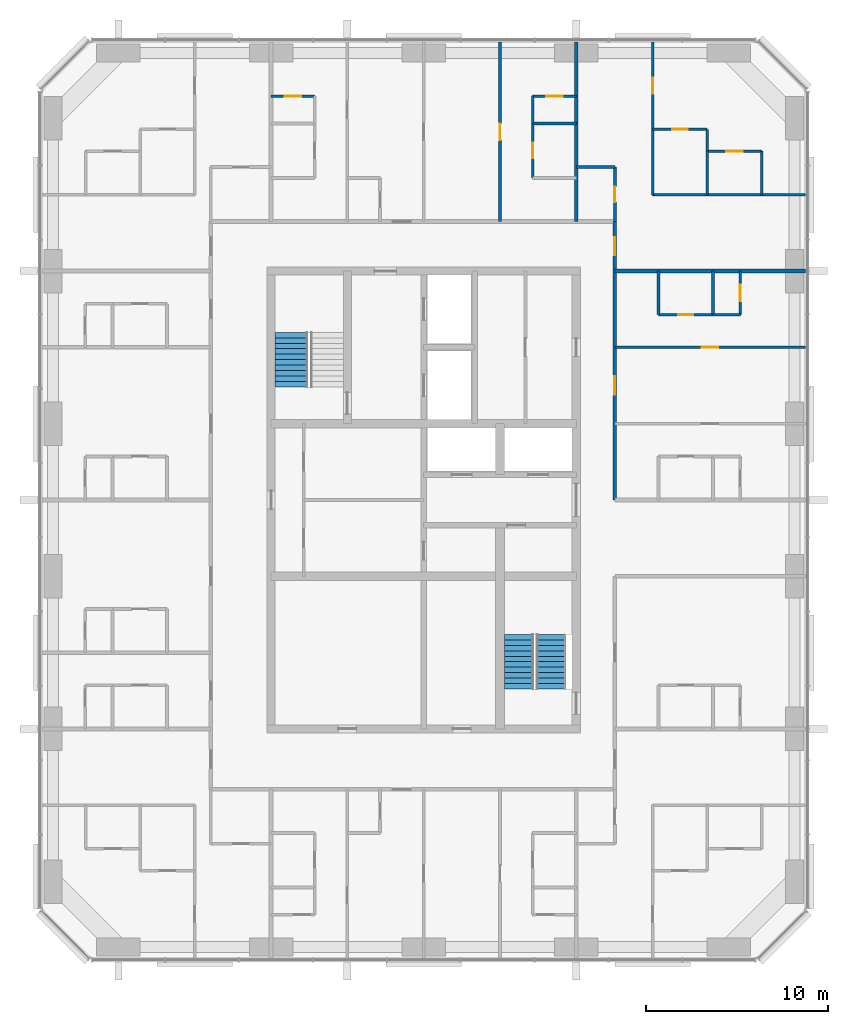
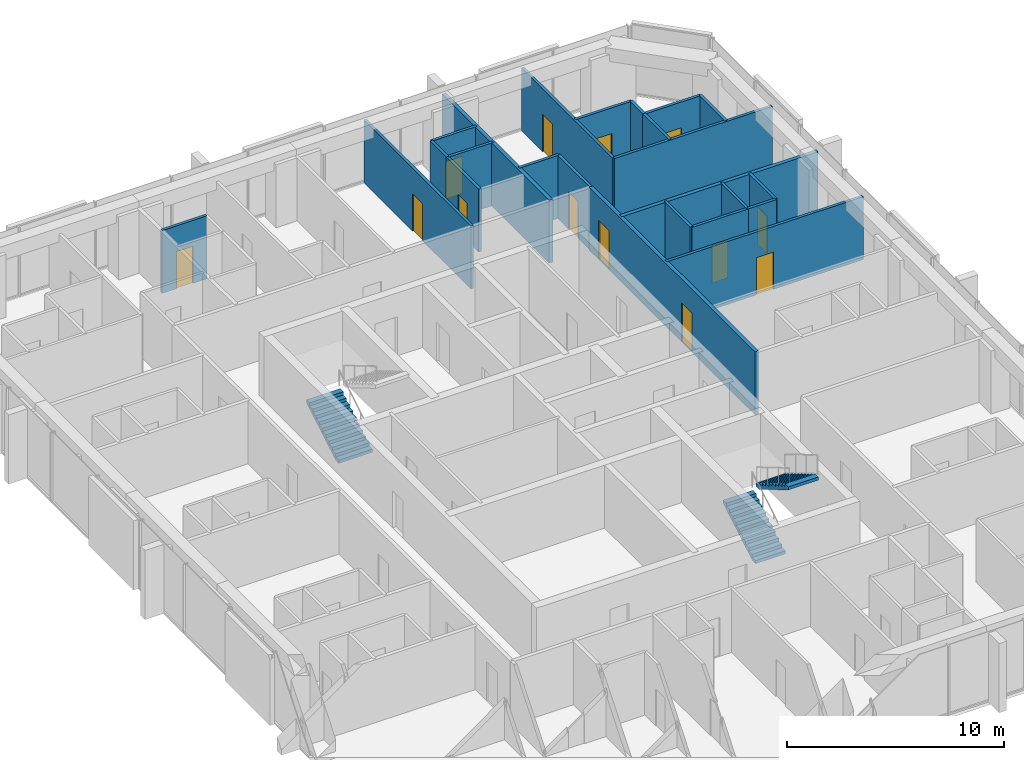
# One storey, part 11 of 13: 24 walls, 13 doors, 3 stair flights, 13 openings, 2 elements without a shape of their own.
"""IFC4 building model written with IfcOpenShell, lengths in metres."""

from ifc_helpers import new_model, si_unit, direction, frame, frame_2d, origin, place, context, subcontext, project, spatial, polyline, rectangle, outline, extrude, material, layer, layer_set, type_object, element, fill, aggregate, save


model = new_model("IFC4")

# Units and contexts
model_context = context("Model", 3, precision=1e-05, world=origin(), true_north=direction((0.0, 1.0)))
body_context = subcontext(model_context, "Body", "Model", "MODEL_VIEW")
ifc_project = project(units=[si_unit("LENGTHUNIT", "METRE"), si_unit("AREAUNIT", "SQUARE_METRE"), si_unit("VOLUMEUNIT", "CUBIC_METRE"), si_unit("PLANEANGLEUNIT", "RADIAN"), si_unit("MASSUNIT", "GRAM", prefix="KILO")], contexts=[model_context])

# Site, building, storey
site_placement = place(None, origin())
site = spatial("IfcSite", under=ifc_project, at=site_placement, CompositionType="ELEMENT")
building_placement = place(site_placement, origin())
building = spatial("IfcBuilding", under=site, at=building_placement, Name="Dunama Terrace Hotel", CompositionType="ELEMENT")
storey_placement = place(building_placement, frame((0.0, 0.0, 276.300048828125)))
storey = spatial("IfcBuildingStorey", under=building, at=storey_placement, Name="L71", CompositionType="ELEMENT", Elevation=276.300048828125)

# Wall, opening, door
ifc_material_1 = material(Name="Gypsum board partition", Category="masonry")
ifc_layer_1 = layer(ifc_material_1, 0.14990234375)
ifc_layer_set_1 = layer_set([ifc_layer_1], Name="Bathroom partition 150")
wall_type_1 = type_object("IfcWallType", Name="Bathroom partition 150", PredefinedType="PARTITIONING", material=ifc_layer_set_1)
wall_1_placement = place(storey_placement, frame((39.60009765625, 47.125, 0.0), z_axis=(0.0, 0.0, 1.0), x_axis=(0.0, 1.0, 0.0)))
wall_1 = element("IfcWall", 1, at=wall_1_placement, inside=storey, type_object=wall_type_1, Name="Bathroom partition 150 L71", PredefinedType="PARTITIONING", context=body_context, shape_type="SweptSolid", body=[
    extrude(rectangle(XDim=3.0, YDim=0.14990234375, at=frame_2d((1.5, 0.0))), origin(), (0.0, 0.0, 1.0), 3.550048828125),
])
opening_1_placement = place(wall_1_placement, frame((1.074951171875, 0.0, 0.0)))
opening_1 = element("IfcOpeningElement", 2, at=opening_1_placement, cuts=wall_1, Name="Opening L71-72-033", PredefinedType="OPENING", context=body_context, shape_type="SweptSolid", body=[
    extrude(rectangle(XDim=0.85009765625, YDim=2.10009765625, at=frame_2d((0.425048828125, 1.050048828125))), frame((0.0, 0.0849609375, 0.0), z_axis=(0.0, -1.0, 0.0), x_axis=(1.0, 0.0, 0.0)), (0.0, 0.0, 1.0), 0.169921875),
])
ifc_material_2 = material(Name="Timber door with steel frame", Category="steel")
door_type_1 = type_object("IfcDoorType", Name="Bathroom door 850", OperationType="SINGLE_SWING_LEFT", PredefinedType="DOOR", material=ifc_material_2)
door_1_placement = place(opening_1_placement, frame((0.85009765625, 0.0, 0.0), z_axis=(0.0, 0.0, 1.0), x_axis=(-1.0, 0.0, 0.0)))
door_1 = element("IfcDoor", 3, at=door_1_placement, inside=storey, type_object=door_type_1, Name="Door to en-suite bathroom L71-72-033, type D2", OperationType="SINGLE_SWING_LEFT", OverallHeight=2.10009765625, OverallWidth=0.85009765625, PredefinedType="DOOR", context=body_context, shape_type="SweptSolid", body=[
    extrude(rectangle(XDim=0.85009765625, YDim=2.10009765625, at=frame_2d((0.425048828125, 1.050048828125))), frame((0.0, 0.025146484375, 0.0), z_axis=(0.0, -1.0, 0.0), x_axis=(1.0, 0.0, 0.0)), (0.0, 0.0, 1.0), 0.050048828125),
])
fill(opening_1, door_1)

wall_2_placement = place(storey_placement, frame((44.125, 44.72509765625, 0.0), z_axis=(0.0, 0.0, 1.0), x_axis=(0.0, 1.0, 0.0)))
wall_2 = element("IfcWall", 4, at=wall_2_placement, inside=storey, type_object=wall_type_1, Name="Bathroom partition 150 L71", PredefinedType="PARTITIONING", context=body_context, shape_type="SweptSolid", body=[
    extrude(rectangle(XDim=3.0, YDim=0.14990234375, at=frame_2d((1.5, 0.0))), origin(), (0.0, 0.0, 1.0), 3.550048828125),
])
opening_2_placement = place(wall_2_placement, frame((1.074951171875, 0.0, 0.0)))
opening_2 = element("IfcOpeningElement", 5, at=opening_2_placement, cuts=wall_2, Name="Opening L71-72-058", PredefinedType="OPENING", context=body_context, shape_type="SweptSolid", body=[
    extrude(rectangle(XDim=0.85009765625, YDim=2.10009765625, at=frame_2d((0.425048828125, 1.050048828125))), frame((0.0, 0.0849609375, 0.0), z_axis=(0.0, -1.0, 0.0), x_axis=(1.0, 0.0, 0.0)), (0.0, 0.0, 1.0), 0.169921875),
])
door_2_placement = place(opening_2_placement, origin())
door_2 = element("IfcDoor", 6, at=door_2_placement, inside=storey, type_object=door_type_1, Name="Door to powder room L71-72-058, type D2", OperationType="SINGLE_SWING_LEFT", OverallHeight=2.10009765625, OverallWidth=0.85009765625, PredefinedType="DOOR", context=body_context, shape_type="SweptSolid", body=[
    extrude(rectangle(XDim=0.85009765625, YDim=2.10009765625, at=frame_2d((0.425048828125, 1.050048828125))), frame((0.0, 0.02490234375, 0.0), z_axis=(0.0, -1.0, 0.0), x_axis=(1.0, 0.0, 0.0)), (0.0, 0.0, 1.0), 0.050048828125),
])
fill(opening_2, door_2)

# Walls
wall_3_placement = place(storey_placement, frame((46.52490234375, 39.60009765625, 0.0), z_axis=(0.0, 0.0, 1.0), x_axis=(0.0, 1.0, 0.0)))
element("IfcWall", 7, at=wall_3_placement, inside=storey, type_object=wall_type_1, Name="Bathroom partition 150 L71", PredefinedType="PARTITIONING", context=body_context, shape_type="SweptSolid", body=[
    extrude(rectangle(XDim=2.39990234375, YDim=0.14990234375, at=frame_2d((1.199951171875, 0.0))), origin(), (0.0, 0.0, 1.0), 3.550048828125),
])
wall_4_placement = place(storey_placement, frame((49.199951171875, 48.60009765625, 0.0), z_axis=(0.0, 0.0, 1.0), x_axis=(0.0, 1.0, 0.0)))
element("IfcWall", 8, at=wall_4_placement, inside=storey, type_object=wall_type_1, Name="Bathroom partition 150 L71", PredefinedType="PARTITIONING", context=body_context, shape_type="SweptSolid", body=[
    extrude(rectangle(XDim=1.199951171875, YDim=0.14990234375, at=frame_2d((0.60009765625, 0.0))), origin(), (0.0, 0.0, 1.0), 3.550048828125),
])

# Wall, opening, door
wall_5_placement = place(storey_placement, frame((46.52490234375, 39.60009765625, 0.0), z_axis=(0.0, 0.0, 1.0), x_axis=(1.0, 0.0, 0.0)))
wall_5 = element("IfcWall", 9, at=wall_5_placement, inside=storey, type_object=wall_type_1, Name="Bathroom partition 150 L71", PredefinedType="PARTITIONING", context=body_context, shape_type="SweptSolid", body=[
    extrude(rectangle(XDim=3.0, YDim=0.14990234375, at=frame_2d((1.5, 0.0))), origin(), (0.0, 0.0, 1.0), 3.550048828125),
])
opening_3_placement = place(wall_5_placement, frame((1.074951171875, 0.0, 0.0)))
opening_3 = element("IfcOpeningElement", 10, at=opening_3_placement, cuts=wall_5, Name="Opening L71-72-024", PredefinedType="OPENING", context=body_context, shape_type="SweptSolid", body=[
    extrude(rectangle(XDim=0.85009765625, YDim=2.10009765625, at=frame_2d((0.425048828125, 1.050048828125))), frame((0.0, 0.0849609375, 0.0), z_axis=(0.0, -1.0, 0.0), x_axis=(1.0, 0.0, 0.0)), (0.0, 0.0, 1.0), 0.169921875),
])
door_3_placement = place(opening_3_placement, origin())
door_3 = element("IfcDoor", 11, at=door_3_placement, inside=storey, type_object=door_type_1, Name="Door to en-suite bathroom L71-72-024, type D2", OperationType="SINGLE_SWING_RIGHT", OverallHeight=2.10009765625, OverallWidth=0.85009765625, PredefinedType="DOOR", context=body_context, shape_type="SweptSolid", body=[
    extrude(rectangle(XDim=0.85009765625, YDim=2.10009765625, at=frame_2d((0.425048828125, 1.050048828125))), frame((0.0, 0.02490234375, 0.0), z_axis=(0.0, -1.0, 0.0), x_axis=(1.0, 0.0, 0.0)), (0.0, 0.0, 1.0), 0.050048828125),
])
fill(opening_3, door_3)

# Wall
wall_6_placement = place(storey_placement, frame((42.0, 47.72509765625, 0.0), z_axis=(0.0, 0.0, 1.0), x_axis=(1.0, 0.0, 0.0)))
element("IfcWall", 12, at=wall_6_placement, inside=storey, type_object=wall_type_1, Name="Bathroom partition 150 L71", PredefinedType="PARTITIONING", context=body_context, shape_type="SweptSolid", body=[
    extrude(rectangle(XDim=2.125, YDim=0.14990234375, at=frame_2d((1.0625, 0.0))), origin(), (0.0, 0.0, 1.0), 3.550048828125),
])

# Wall, opening, door
wall_7_placement = place(storey_placement, frame((46.199951171875, 49.800048828125, 0.0), z_axis=(0.0, 0.0, 1.0), x_axis=(1.0, 0.0, 0.0)))
wall_7 = element("IfcWall", 13, at=wall_7_placement, inside=storey, type_object=wall_type_1, Name="Bathroom partition 150 L71", PredefinedType="PARTITIONING", context=body_context, shape_type="SweptSolid", body=[
    extrude(rectangle(XDim=3.0, YDim=0.14990234375, at=frame_2d((1.5, 0.0))), origin(), (0.0, 0.0, 1.0), 3.550048828125),
])
opening_4_placement = place(wall_7_placement, frame((1.074951171875, 0.0, 0.0)))
opening_4 = element("IfcOpeningElement", 14, at=opening_4_placement, cuts=wall_7, Name="Opening L71-72-060", PredefinedType="OPENING", context=body_context, shape_type="SweptSolid", body=[
    extrude(rectangle(XDim=0.85009765625, YDim=2.10009765625, at=frame_2d((0.425048828125, 1.050048828125))), frame((0.0, 0.0849609375, 0.0), z_axis=(0.0, -1.0, 0.0), x_axis=(1.0, 0.0, 0.0)), (0.0, 0.0, 1.0), 0.169921875),
])
door_4_placement = place(opening_4_placement, frame((0.85009765625, 0.0, 0.0), z_axis=(0.0, 0.0, 1.0), x_axis=(-1.0, 0.0, 0.0)))
door_4 = element("IfcDoor", 15, at=door_4_placement, inside=storey, type_object=door_type_1, Name="Door to en-suite bathroom L71-72-060, type D2", OperationType="SINGLE_SWING_LEFT", OverallHeight=2.10009765625, OverallWidth=0.85009765625, PredefinedType="DOOR", context=body_context, shape_type="SweptSolid", body=[
    extrude(rectangle(XDim=0.85009765625, YDim=2.10009765625, at=frame_2d((0.425048828125, 1.050048828125))), frame((0.0, 0.025146484375, 0.0), z_axis=(0.0, -1.0, 0.0), x_axis=(1.0, 0.0, 0.0)), (0.0, 0.0, 1.0), 0.050048828125),
])
fill(opening_4, door_4)

# Wall, openings, doors
ifc_material_3 = material(Name="Concrete blockwork", Category="masonry")
ifc_layer_2 = layer(ifc_material_3, 0.199951171875)
ifc_layer_set_2 = layer_set([ifc_layer_2], Name="Corridor partition 200")
wall_type_2 = type_object("IfcWallType", Name="Corridor partition 200", PredefinedType="PARTITIONING", material=ifc_layer_set_2)
wall_8_placement = place(storey_placement, frame((44.125, 44.72509765625, 0.0), z_axis=(0.0, 0.0, 1.0), x_axis=(0.0, -1.0, 0.0)))
wall_8 = element("IfcWall", 16, at=wall_8_placement, inside=storey, type_object=wall_type_2, Name="Corridor partition 200 L71", PredefinedType="PARTITIONING", context=body_context, shape_type="SweptSolid", body=[
    extrude(rectangle(XDim=15.3251953125, YDim=0.199951171875, at=frame_2d((7.66259765625, 0.0))), origin(), (0.0, 0.0, 1.0), 3.550048828125),
])
opening_5_placement = place(wall_8_placement, frame((8.52490234375, 0.0, 0.0)))
opening_5 = element("IfcOpeningElement", 17, at=opening_5_placement, cuts=wall_8, Name="Opening L71-72-019", PredefinedType="OPENING", context=body_context, shape_type="SweptSolid", body=[
    extrude(rectangle(XDim=1.0, YDim=2.199951171875, at=frame_2d((0.5, 1.10009765625))), frame((0.0, 0.10986328125, 0.0), z_axis=(0.0, -1.0, 0.0), x_axis=(1.0, 0.0, 0.0)), (0.0, 0.0, 1.0), 0.219970703125),
])
opening_6_placement = place(wall_8_placement, frame((0.863037109375, 0.0, 0.0)))
opening_6 = element("IfcOpeningElement", 18, at=opening_6_placement, cuts=wall_8, Name="Opening L71-72-057", PredefinedType="OPENING", context=body_context, shape_type="SweptSolid", body=[
    extrude(rectangle(XDim=1.0, YDim=2.199951171875, at=frame_2d((0.5, 1.10009765625))), frame((0.0, 0.10986328125, 0.0), z_axis=(0.0, -1.0, 0.0), x_axis=(1.0, 0.0, 0.0)), (0.0, 0.0, 1.0), 0.219970703125),
])
ifc_material_4 = material(Name="Timber door with steel frame", Category="steel")
door_type_2 = type_object("IfcDoorType", Name="Guest room door 1000", OperationType="SINGLE_SWING_LEFT", PredefinedType="DOOR", material=ifc_material_4)
door_5_placement = place(opening_5_placement, origin())
door_5 = element("IfcDoor", 19, at=door_5_placement, inside=storey, type_object=door_type_2, Name="Door to two-bedroom suite living room L71-72-019, type D1", OperationType="SINGLE_SWING_LEFT", OverallHeight=2.199951171875, OverallWidth=1.0, PredefinedType="DOOR", context=body_context, shape_type="SweptSolid", body=[
    extrude(rectangle(XDim=1.0, YDim=2.199951171875, at=frame_2d((0.5, 1.10009765625))), frame((0.0, 0.02490234375, 0.0), z_axis=(0.0, -1.0, 0.0), x_axis=(1.0, 0.0, 0.0)), (0.0, 0.0, 1.0), 0.050048828125),
])
fill(opening_5, door_5)
door_6_placement = place(opening_6_placement, origin())
door_6 = element("IfcDoor", 20, at=door_6_placement, inside=storey, type_object=door_type_2, Name="Door to grand corner suite living room L71-72-057, type D1", OperationType="SINGLE_SWING_RIGHT", OverallHeight=2.199951171875, OverallWidth=1.0, PredefinedType="DOOR", context=body_context, shape_type="SweptSolid", body=[
    extrude(rectangle(XDim=1.0, YDim=2.199951171875, at=frame_2d((0.5, 1.10009765625))), frame((0.0, 0.02490234375, 0.0), z_axis=(0.0, -1.0, 0.0), x_axis=(1.0, 0.0, 0.0)), (0.0, 0.0, 1.0), 0.050048828125),
])
fill(opening_6, door_6)

# Walls
ifc_material_5 = material(Name="Concrete blockwork", Category="masonry")
ifc_layer_3 = layer(ifc_material_5, 0.199951171875)
ifc_layer_set_3 = layer_set([ifc_layer_3], Name="Party wall 200")
wall_type_3 = type_object("IfcWallType", Name="Party wall 200", PredefinedType="PARTITIONING", material=ifc_layer_set_3)
wall_9_placement = place(storey_placement, frame((42.0, 44.72509765625, 0.0), z_axis=(0.0, 0.0, 1.0), x_axis=(0.0, 1.0, 0.0)))
element("IfcWall", 21, at=wall_9_placement, inside=storey, type_object=wall_type_3, Name="Party wall 200 L71", PredefinedType="PARTITIONING", context=body_context, shape_type="SweptSolid", body=[
    extrude(rectangle(XDim=9.892822265625, YDim=0.199951171875, at=frame_2d((4.9462890625, 0.0))), origin(), (0.0, 0.0, 1.0), 3.550048828125),
])
wall_10_placement = place(storey_placement, frame((44.125, 42.0, 0.0), z_axis=(0.0, 0.0, 1.0), x_axis=(1.0, 0.0, 0.0)))
element("IfcWall", 22, at=wall_10_placement, inside=storey, type_object=wall_type_3, Name="Party wall 200 L71", PredefinedType="PARTITIONING", context=body_context, shape_type="SweptSolid", body=[
    extrude(rectangle(XDim=10.492919921875, YDim=0.199951171875, at=frame_2d((5.24658203125, 0.0))), origin(), (0.0, 0.0, 1.0), 3.550048828125),
])

# Wall, opening, door
ifc_material_6 = material(Name="Gypsum board partition", Category="masonry")
ifc_layer_4 = layer(ifc_material_6, 0.14990234375)
ifc_layer_set_4 = layer_set([ifc_layer_4], Name="Room partition 150")
wall_type_4 = type_object("IfcWallType", Name="Room partition 150", PredefinedType="PARTITIONING", material=ifc_layer_set_4)
wall_11_placement = place(storey_placement, frame((37.800048828125, 44.72509765625, 0.0), z_axis=(0.0, 0.0, 1.0), x_axis=(0.0, 1.0, 0.0)))
wall_11 = element("IfcWall", 23, at=wall_11_placement, inside=storey, type_object=wall_type_4, Name="Room partition 150 L71", PredefinedType="PARTITIONING", context=body_context, shape_type="SweptSolid", body=[
    extrude(rectangle(XDim=9.892822265625, YDim=0.14990234375, at=frame_2d((4.9462890625, 0.0))), origin(), (0.0, 0.0, 1.0), 3.550048828125),
])
opening_7_placement = place(wall_11_placement, frame((4.487060546875, 0.0, 0.0)))
opening_7 = element("IfcOpeningElement", 24, at=opening_7_placement, cuts=wall_11, Name="Opening L71-72-032", PredefinedType="OPENING", context=body_context, shape_type="SweptSolid", body=[
    extrude(rectangle(XDim=0.89990234375, YDim=2.10009765625, at=frame_2d((0.449951171875, 1.050048828125))), frame((0.0, 0.0849609375, 0.0), z_axis=(0.0, -1.0, 0.0), x_axis=(1.0, 0.0, 0.0)), (0.0, 0.0, 1.0), 0.169921875),
])
ifc_material_7 = material(Name="Timber door with steel frame", Category="steel")
door_type_3 = type_object("IfcDoorType", Name="Suite internal door 900", OperationType="SINGLE_SWING_LEFT", PredefinedType="DOOR", material=ifc_material_7)
door_7_placement = place(opening_7_placement, frame((0.89990234375, 0.0, 0.0), z_axis=(0.0, 0.0, 1.0), x_axis=(-1.0, 0.0, 0.0)))
door_7 = element("IfcDoor", 25, at=door_7_placement, inside=storey, type_object=door_type_3, Name="Door to grand suite second bedroom L71-72-032, type D16", OperationType="SINGLE_SWING_RIGHT", OverallHeight=2.10009765625, OverallWidth=0.89990234375, PredefinedType="DOOR", context=body_context, shape_type="SweptSolid", body=[
    extrude(rectangle(XDim=0.89990234375, YDim=2.10009765625, at=frame_2d((0.449951171875, 1.050048828125))), frame((0.0, 0.025146484375, 0.0), z_axis=(0.0, -1.0, 0.0), x_axis=(1.0, 0.0, 0.0)), (0.0, 0.0, 1.0), 0.050048828125),
])
fill(opening_7, door_7)

# Wall
wall_12_placement = place(storey_placement, frame((39.60009765625, 50.125, 0.0), z_axis=(0.0, 0.0, 1.0), x_axis=(0.0, 1.0, 0.0)))
element("IfcWall", 26, at=wall_12_placement, inside=storey, type_object=wall_type_4, Name="Room partition 150 L71", PredefinedType="PARTITIONING", context=body_context, shape_type="SweptSolid", body=[
    extrude(rectangle(XDim=1.5, YDim=0.14990234375, at=frame_2d((0.75, 0.0))), origin(), (0.0, 0.0, 1.0), 3.550048828125),
])

# Wall, opening, door
wall_13_placement = place(storey_placement, frame((46.199951171875, 46.199951171875, 0.0), z_axis=(0.0, 0.0, 1.0), x_axis=(0.0, 1.0, 0.0)))
wall_13 = element("IfcWall", 27, at=wall_13_placement, inside=storey, type_object=wall_type_4, Name="Room partition 150 L71", PredefinedType="PARTITIONING", context=body_context, shape_type="SweptSolid", body=[
    extrude(rectangle(XDim=8.41796875, YDim=0.14990234375, at=frame_2d((4.208984375, 0.0))), origin(), (0.0, 0.0, 1.0), 3.550048828125),
])
opening_8_placement = place(wall_13_placement, frame((5.550048828125, 0.0, 0.0)))
opening_8 = element("IfcOpeningElement", 28, at=opening_8_placement, cuts=wall_13, Name="Opening L71-72-059", PredefinedType="OPENING", context=body_context, shape_type="SweptSolid", body=[
    extrude(rectangle(XDim=0.89990234375, YDim=2.10009765625, at=frame_2d((0.449951171875, 1.050048828125))), frame((0.0, 0.0849609375, 0.0), z_axis=(0.0, -1.0, 0.0), x_axis=(1.0, 0.0, 0.0)), (0.0, 0.0, 1.0), 0.169921875),
])
door_8_placement = place(opening_8_placement, frame((0.89990234375, 0.0, 0.0), z_axis=(0.0, 0.0, 1.0), x_axis=(-1.0, 0.0, 0.0)))
door_8 = element("IfcDoor", 29, at=door_8_placement, inside=storey, type_object=door_type_3, Name="Door to grand corner suite bedroom L71-72-059, type D16", OperationType="SINGLE_SWING_RIGHT", OverallHeight=2.10009765625, OverallWidth=0.89990234375, PredefinedType="DOOR", context=body_context, shape_type="SweptSolid", body=[
    extrude(rectangle(XDim=0.89990234375, YDim=2.10009765625, at=frame_2d((0.449951171875, 1.050048828125))), frame((0.0, 0.025146484375, 0.0), z_axis=(0.0, -1.0, 0.0), x_axis=(1.0, 0.0, 0.0)), (0.0, 0.0, 1.0), 0.050048828125),
])
fill(opening_8, door_8)

# Walls
wall_14_placement = place(storey_placement, frame((49.199951171875, 46.199951171875, 0.0), z_axis=(0.0, 0.0, 1.0), x_axis=(0.0, 1.0, 0.0)))
element("IfcWall", 30, at=wall_14_placement, inside=storey, type_object=wall_type_4, Name="Room partition 150 L71", PredefinedType="PARTITIONING", context=body_context, shape_type="SweptSolid", body=[
    extrude(rectangle(XDim=2.400146484375, YDim=0.14990234375, at=frame_2d((1.2001953125, 0.0))), origin(), (0.0, 0.0, 1.0), 3.550048828125),
])
wall_15_placement = place(storey_placement, frame((49.52490234375, 39.60009765625, 0.0), z_axis=(0.0, 0.0, 1.0), x_axis=(0.0, 1.0, 0.0)))
element("IfcWall", 31, at=wall_15_placement, inside=storey, type_object=wall_type_4, Name="Room partition 150 L71", PredefinedType="PARTITIONING", context=body_context, shape_type="SweptSolid", body=[
    extrude(rectangle(XDim=2.39990234375, YDim=0.14990234375, at=frame_2d((1.199951171875, 0.0))), origin(), (0.0, 0.0, 1.0), 3.550048828125),
])

# Wall, opening, door
wall_16_placement = place(storey_placement, frame((51.02490234375, 39.60009765625, 0.0), z_axis=(0.0, 0.0, 1.0), x_axis=(0.0, 1.0, 0.0)))
wall_16 = element("IfcWall", 32, at=wall_16_placement, inside=storey, type_object=wall_type_4, Name="Room partition 150 L71", PredefinedType="PARTITIONING", context=body_context, shape_type="SweptSolid", body=[
    extrude(rectangle(XDim=2.39990234375, YDim=0.14990234375, at=frame_2d((1.199951171875, 0.0))), origin(), (0.0, 0.0, 1.0), 3.550048828125),
])
opening_9_placement = place(wall_16_placement, frame((0.75, 0.0, 0.0)))
opening_9 = element("IfcOpeningElement", 33, at=opening_9_placement, cuts=wall_16, Name="Opening L71-72-025", PredefinedType="OPENING", context=body_context, shape_type="SweptSolid", body=[
    extrude(rectangle(XDim=0.89990234375, YDim=2.10009765625, at=frame_2d((0.449951171875, 1.050048828125))), frame((0.0, 0.0849609375, 0.0), z_axis=(0.0, -1.0, 0.0), x_axis=(1.0, 0.0, 0.0)), (0.0, 0.0, 1.0), 0.169921875),
])
door_9_placement = place(opening_9_placement, origin())
door_9 = element("IfcDoor", 34, at=door_9_placement, inside=storey, type_object=door_type_3, Name="Door to walk-in wardrobe L71-72-025, type D16", OperationType="SINGLE_SWING_LEFT", OverallHeight=2.10009765625, OverallWidth=0.89990234375, PredefinedType="DOOR", context=body_context, shape_type="SweptSolid", body=[
    extrude(rectangle(XDim=0.89990234375, YDim=2.10009765625, at=frame_2d((0.449951171875, 1.050048828125))), frame((0.0, 0.02490234375, 0.0), z_axis=(0.0, -1.0, 0.0), x_axis=(1.0, 0.0, 0.0)), (0.0, 0.0, 1.0), 0.050048828125),
])
fill(opening_9, door_9)

# Wall
wall_17_placement = place(storey_placement, frame((52.199951171875, 46.199951171875, 0.0), z_axis=(0.0, 0.0, 1.0), x_axis=(0.0, 1.0, 0.0)))
element("IfcWall", 35, at=wall_17_placement, inside=storey, type_object=wall_type_4, Name="Room partition 150 L71", PredefinedType="PARTITIONING", context=body_context, shape_type="SweptSolid", body=[
    extrude(rectangle(XDim=2.400146484375, YDim=0.14990234375, at=frame_2d((1.2001953125, 0.0))), origin(), (0.0, 0.0, 1.0), 3.550048828125),
])

# Wall, opening, door
wall_18_placement = place(storey_placement, frame((44.125, 37.800048828125, 0.0), z_axis=(0.0, 0.0, 1.0), x_axis=(1.0, 0.0, 0.0)))
wall_18 = element("IfcWall", 36, at=wall_18_placement, inside=storey, type_object=wall_type_4, Name="Room partition 150 L71", PredefinedType="PARTITIONING", context=body_context, shape_type="SweptSolid", body=[
    extrude(rectangle(XDim=10.492919921875, YDim=0.14990234375, at=frame_2d((5.24658203125, 0.0))), origin(), (0.0, 0.0, 1.0), 3.550048828125),
])
opening_10_placement = place(wall_18_placement, frame((4.787109375, 0.0, 0.0)))
opening_10 = element("IfcOpeningElement", 37, at=opening_10_placement, cuts=wall_18, Name="Opening L71-72-023", PredefinedType="OPENING", context=body_context, shape_type="SweptSolid", body=[
    extrude(rectangle(XDim=0.89990234375, YDim=2.10009765625, at=frame_2d((0.449951171875, 1.050048828125))), frame((0.0, 0.0849609375, 0.0), z_axis=(0.0, -1.0, 0.0), x_axis=(1.0, 0.0, 0.0)), (0.0, 0.0, 1.0), 0.169921875),
])
door_10_placement = place(opening_10_placement, origin())
door_10 = element("IfcDoor", 38, at=door_10_placement, inside=storey, type_object=door_type_3, Name="Door to two-bedroom suite second bedroom L71-72-023, type D16", OperationType="SINGLE_SWING_LEFT", OverallHeight=2.10009765625, OverallWidth=0.89990234375, PredefinedType="DOOR", context=body_context, shape_type="SweptSolid", body=[
    extrude(rectangle(XDim=0.89990234375, YDim=2.10009765625, at=frame_2d((0.449951171875, 1.050048828125))), frame((0.0, 0.02490234375, 0.0), z_axis=(0.0, -1.0, 0.0), x_axis=(1.0, 0.0, 0.0)), (0.0, 0.0, 1.0), 0.050048828125),
])
fill(opening_10, door_10)

# Walls
wall_19_placement = place(storey_placement, frame((49.52490234375, 39.60009765625, 0.0), z_axis=(0.0, 0.0, 1.0), x_axis=(1.0, 0.0, 0.0)))
element("IfcWall", 39, at=wall_19_placement, inside=storey, type_object=wall_type_4, Name="Room partition 150 L71", PredefinedType="PARTITIONING", context=body_context, shape_type="SweptSolid", body=[
    extrude(rectangle(XDim=1.5, YDim=0.14990234375, at=frame_2d((0.75, 0.0))), origin(), (0.0, 0.0, 1.0), 3.550048828125),
])
wall_20_placement = place(storey_placement, frame((46.199951171875, 46.199951171875, 0.0), z_axis=(0.0, 0.0, 1.0), x_axis=(1.0, 0.0, 0.0)))
element("IfcWall", 40, at=wall_20_placement, inside=storey, type_object=wall_type_4, Name="Room partition 150 L71", PredefinedType="PARTITIONING", context=body_context, shape_type="SweptSolid", body=[
    extrude(rectangle(XDim=8.41796875, YDim=0.14990234375, at=frame_2d((4.208984375, 0.0))), origin(), (0.0, 0.0, 1.0), 3.550048828125),
])

# Wall, opening, door
wall_21_placement = place(storey_placement, frame((49.199951171875, 48.60009765625, 0.0), z_axis=(0.0, 0.0, 1.0), x_axis=(1.0, 0.0, 0.0)))
wall_21 = element("IfcWall", 41, at=wall_21_placement, inside=storey, type_object=wall_type_4, Name="Room partition 150 L71", PredefinedType="PARTITIONING", context=body_context, shape_type="SweptSolid", body=[
    extrude(rectangle(XDim=3.0, YDim=0.14990234375, at=frame_2d((1.5, 0.0))), origin(), (0.0, 0.0, 1.0), 3.550048828125),
])
opening_11_placement = place(wall_21_placement, frame((1.050048828125, 0.0, 0.0)))
opening_11 = element("IfcOpeningElement", 42, at=opening_11_placement, cuts=wall_21, Name="Opening L71-72-061", PredefinedType="OPENING", context=body_context, shape_type="SweptSolid", body=[
    extrude(rectangle(XDim=0.89990234375, YDim=2.10009765625, at=frame_2d((0.449951171875, 1.050048828125))), frame((0.0, 0.0849609375, 0.0), z_axis=(0.0, -1.0, 0.0), x_axis=(1.0, 0.0, 0.0)), (0.0, 0.0, 1.0), 0.169921875),
])
door_11_placement = place(opening_11_placement, frame((0.89990234375, 0.0, 0.0), z_axis=(0.0, 0.0, 1.0), x_axis=(-1.0, 0.0, 0.0)))
door_11 = element("IfcDoor", 43, at=door_11_placement, inside=storey, type_object=door_type_3, Name="Door to dressing room L71-72-061, type D16", OperationType="SINGLE_SWING_RIGHT", OverallHeight=2.10009765625, OverallWidth=0.89990234375, PredefinedType="DOOR", context=body_context, shape_type="SweptSolid", body=[
    extrude(rectangle(XDim=0.89990234375, YDim=2.10009765625, at=frame_2d((0.449951171875, 1.050048828125))), frame((0.0, 0.025146484375, 0.0), z_axis=(0.0, -1.0, 0.0), x_axis=(1.0, 0.0, 0.0)), (0.0, 0.0, 1.0), 0.050048828125),
])
fill(opening_11, door_11)

# Wall
wall_22_placement = place(storey_placement, frame((39.60009765625, 50.125, 0.0), z_axis=(0.0, 0.0, 1.0), x_axis=(1.0, 0.0, 0.0)))
element("IfcWall", 44, at=wall_22_placement, inside=storey, type_object=wall_type_4, Name="Room partition 150 L71", PredefinedType="PARTITIONING", context=body_context, shape_type="SweptSolid", body=[
    extrude(rectangle(XDim=2.39990234375, YDim=0.14990234375, at=frame_2d((1.199951171875, 0.0))), origin(), (0.0, 0.0, 1.0), 3.550048828125),
])

# Wall, opening, door
wall_23_placement = place(storey_placement, frame((25.199951171875, 51.625, 0.0), z_axis=(0.0, 0.0, 1.0), x_axis=(1.0, 0.0, 0.0)))
wall_23 = element("IfcWall", 45, at=wall_23_placement, inside=storey, type_object=wall_type_4, Name="Room partition 150 L71", PredefinedType="PARTITIONING", context=body_context, shape_type="SweptSolid", body=[
    extrude(rectangle(XDim=2.400146484375, YDim=0.14990234375, at=frame_2d((1.2001953125, 0.0))), origin(), (0.0, 0.0, 1.0), 3.550048828125),
])
opening_12_placement = place(wall_23_placement, frame((0.75, 0.0, 0.0)))
opening_12 = element("IfcOpeningElement", 46, at=opening_12_placement, cuts=wall_23, Name="Opening L71-72-030", PredefinedType="OPENING", context=body_context, shape_type="SweptSolid", body=[
    extrude(rectangle(XDim=0.89990234375, YDim=2.10009765625, at=frame_2d((0.449951171875, 1.050048828125))), frame((0.0, 0.0849609375, 0.0), z_axis=(0.0, -1.0, 0.0), x_axis=(1.0, 0.0, 0.0)), (0.0, 0.0, 1.0), 0.169921875),
])
door_12_placement = place(opening_12_placement, frame((0.89990234375, 0.0, 0.0), z_axis=(0.0, 0.0, 1.0), x_axis=(-1.0, 0.0, 0.0)))
door_12 = element("IfcDoor", 47, at=door_12_placement, inside=storey, type_object=door_type_3, Name="Door to walk-in wardrobe L71-72-030, type D16", OperationType="SINGLE_SWING_RIGHT", OverallHeight=2.10009765625, OverallWidth=0.89990234375, PredefinedType="DOOR", context=body_context, shape_type="SweptSolid", body=[
    extrude(rectangle(XDim=0.89990234375, YDim=2.10009765625, at=frame_2d((0.449951171875, 1.050048828125))), frame((0.0, 0.025146484375, 0.0), z_axis=(0.0, -1.0, 0.0), x_axis=(1.0, 0.0, 0.0)), (0.0, 0.0, 1.0), 0.050048828125),
])
fill(opening_12, door_12)

wall_24_placement = place(storey_placement, frame((39.60009765625, 51.625, 0.0), z_axis=(0.0, 0.0, 1.0), x_axis=(1.0, 0.0, 0.0)))
wall_24 = element("IfcWall", 48, at=wall_24_placement, inside=storey, type_object=wall_type_4, Name="Room partition 150 L71", PredefinedType="PARTITIONING", context=body_context, shape_type="SweptSolid", body=[
    extrude(rectangle(XDim=2.39990234375, YDim=0.14990234375, at=frame_2d((1.199951171875, 0.0))), origin(), (0.0, 0.0, 1.0), 3.550048828125),
])
opening_13_placement = place(wall_24_placement, frame((0.75, 0.0, 0.0)))
opening_13 = element("IfcOpeningElement", 49, at=opening_13_placement, cuts=wall_24, Name="Opening L71-72-034", PredefinedType="OPENING", context=body_context, shape_type="SweptSolid", body=[
    extrude(rectangle(XDim=0.89990234375, YDim=2.10009765625, at=frame_2d((0.449951171875, 1.050048828125))), frame((0.0, 0.0849609375, 0.0), z_axis=(0.0, -1.0, 0.0), x_axis=(1.0, 0.0, 0.0)), (0.0, 0.0, 1.0), 0.169921875),
])
door_13_placement = place(opening_13_placement, frame((0.89990234375, 0.0, 0.0), z_axis=(0.0, 0.0, 1.0), x_axis=(-1.0, 0.0, 0.0)))
door_13 = element("IfcDoor", 50, at=door_13_placement, inside=storey, type_object=door_type_3, Name="Door to walk-in wardrobe L71-72-034, type D16", OperationType="SINGLE_SWING_RIGHT", OverallHeight=2.10009765625, OverallWidth=0.89990234375, PredefinedType="DOOR", context=body_context, shape_type="SweptSolid", body=[
    extrude(rectangle(XDim=0.89990234375, YDim=2.10009765625, at=frame_2d((0.449951171875, 1.050048828125))), frame((0.0, 0.025146484375, 0.0), z_axis=(0.0, -1.0, 0.0), x_axis=(1.0, 0.0, 0.0)), (0.0, 0.0, 1.0), 0.050048828125),
])
fill(opening_13, door_13)

# Stair, stair flight
ifc_material_8 = material(Name="Concrete C40/50", Category="concrete")
stair_type_1 = type_object("IfcStairType", Name="Stair ST1-3900-1800", PredefinedType="HALF_TURN_STAIR", material=ifc_material_8)
stair_1_placement = place(storey_placement, origin())
stair_1 = element("IfcStair", 51, at=stair_1_placement, inside=storey, type_object=stair_type_1, Name="Stair ST1 L71", PredefinedType="HALF_TURN_STAIR")
ifc_material_9 = material(Name="Concrete C40/50", Category="concrete")
stair_flight_type_1 = type_object("IfcStairFlightType", Name="Stair flight ST1-3900-1800", PredefinedType="STRAIGHT", material=ifc_material_9)
stair_flight_1_placement = place(storey_placement, frame((26.324951171875, 35.625, 0.0), z_axis=(0.0, 0.0, 1.0), x_axis=(0.0, 1.0, 0.0)))
stair_flight_1 = element("IfcStairFlight", 52, at=stair_flight_1_placement, type_object=stair_flight_type_1, Name="ST1 flight 1", NumberOfRisers=11, NumberOfTreads=10, PredefinedType="STRAIGHT", RiserHeight=0.177272727, TreadLength=0.3, context=body_context, shape_type="SweptSolid", body=[
    extrude(outline(polyline([(0.0, 0.0), (0.0, 0.17724609375), (0.300048828125, 0.17724609375), (0.300048828125, 0.3544921875), (0.60009765625, 0.3544921875), (0.60009765625, 0.53173828125), (0.89990234375, 0.53173828125), (0.89990234375, 0.708984375), (1.199951171875, 0.708984375), (1.199951171875, 0.886474609375), (1.5, 0.886474609375), (1.5, 1.063720703125), (1.800048828125, 1.063720703125), (1.800048828125, 1.240966796875), (2.10009765625, 1.240966796875), (2.10009765625, 1.418212890625), (2.39990234375, 1.418212890625), (2.39990234375, 1.595458984375), (2.699951171875, 1.595458984375), (2.699951171875, 1.772705078125), (3.0, 1.772705078125), (3.0, 1.949951171875), (3.0, 1.5986328125), (0.294677734375, 0.0), (0.0, 0.0)])), frame((0.0, 0.89990234375, 0.0), z_axis=(0.0, -1.0, 0.0), x_axis=(1.0, 0.0, 0.0)), (0.0, 0.0, 1.0), 1.800048828125),
])
aggregate(stair_1, [stair_flight_1])

# Stair, stair flights
ifc_material_10 = material(Name="Concrete C40/50", Category="concrete")
stair_type_2 = type_object("IfcStairType", Name="Stair ST2-3900-1600", PredefinedType="HALF_TURN_STAIR", material=ifc_material_10)
stair_2_placement = place(storey_placement, origin())
stair_2 = element("IfcStair", 53, at=stair_2_placement, inside=storey, type_object=stair_type_2, Name="Stair ST2 L71", PredefinedType="HALF_TURN_STAIR")
ifc_material_11 = material(Name="Concrete C40/50", Category="concrete")
stair_flight_type_2 = type_object("IfcStairFlightType", Name="Stair flight ST2-3900-1600", PredefinedType="STRAIGHT", material=ifc_material_11)
stair_flight_2_placement = place(storey_placement, frame((38.85009765625, 19.0, 0.0), z_axis=(0.0, 0.0, 1.0), x_axis=(0.0, 1.0, 0.0)))
stair_flight_2 = element("IfcStairFlight", 54, at=stair_flight_2_placement, type_object=stair_flight_type_2, Name="ST2 flight 1", NumberOfRisers=11, NumberOfTreads=10, PredefinedType="STRAIGHT", RiserHeight=0.177272727, TreadLength=0.3, context=body_context, shape_type="SweptSolid", body=[
    extrude(outline(polyline([(0.0, 0.0), (0.0, 0.17724609375), (0.300048828125, 0.17724609375), (0.300048828125, 0.3544921875), (0.60009765625, 0.3544921875), (0.60009765625, 0.53173828125), (0.89990234375, 0.53173828125), (0.89990234375, 0.708984375), (1.199951171875, 0.708984375), (1.199951171875, 0.886474609375), (1.5, 0.886474609375), (1.5, 1.063720703125), (1.800048828125, 1.063720703125), (1.800048828125, 1.240966796875), (2.10009765625, 1.240966796875), (2.10009765625, 1.418212890625), (2.39990234375, 1.418212890625), (2.39990234375, 1.595458984375), (2.699951171875, 1.595458984375), (2.699951171875, 1.772705078125), (3.0, 1.772705078125), (3.0, 1.949951171875), (3.0, 1.5986328125), (0.294677734375, 0.0), (0.0, 0.0)])), frame((0.0, 0.800048828125, 0.0), z_axis=(0.0, -1.0, 0.0), x_axis=(1.0, 0.0, 0.0)), (0.0, 0.0, 1.0), 1.60009765625),
])
stair_flight_3_placement = place(storey_placement, frame((40.60009765625, 22.0, 1.949951171875), z_axis=(0.0, 0.0, 1.0), x_axis=(0.0, -1.0, 0.0)))
stair_flight_3 = element("IfcStairFlight", 55, at=stair_flight_3_placement, type_object=stair_flight_type_2, Name="ST2 flight 2", NumberOfRisers=11, NumberOfTreads=10, PredefinedType="STRAIGHT", RiserHeight=0.177272727, TreadLength=0.3, context=body_context, shape_type="SweptSolid", body=[
    extrude(outline(polyline([(0.0, 0.0), (0.0, 0.17724609375), (0.300048828125, 0.17724609375), (0.300048828125, 0.3544921875), (0.60009765625, 0.3544921875), (0.60009765625, 0.53173828125), (0.89990234375, 0.53173828125), (0.89990234375, 0.708984375), (1.199951171875, 0.708984375), (1.199951171875, 0.886474609375), (1.5, 0.886474609375), (1.5, 1.063720703125), (1.800048828125, 1.063720703125), (1.800048828125, 1.240966796875), (2.10009765625, 1.240966796875), (2.10009765625, 1.418212890625), (2.39990234375, 1.418212890625), (2.39990234375, 1.595458984375), (2.699951171875, 1.595458984375), (2.699951171875, 1.772705078125), (3.0, 1.772705078125), (3.0, 1.949951171875), (3.0, 1.5986328125), (0.294677734375, 0.0), (0.0, 0.0)])), frame((0.0, 0.800048828125, 0.0), z_axis=(0.0, -1.0, 0.0), x_axis=(1.0, 0.0, 0.0)), (0.0, 0.0, 1.0), 1.60009765625),
])
aggregate(stair_2, [stair_flight_2, stair_flight_3])

save(model, "model.ifc")
